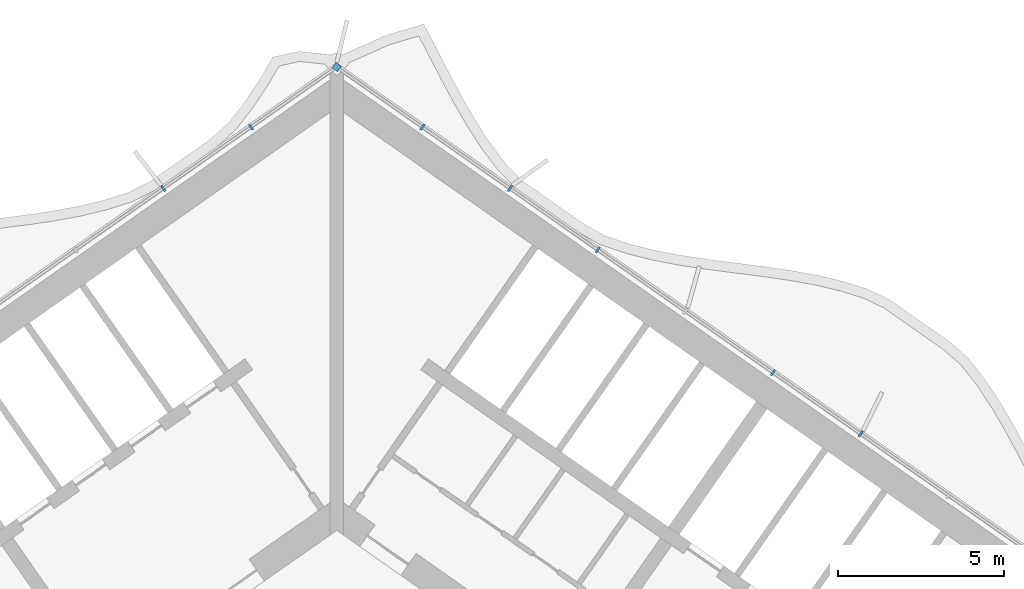
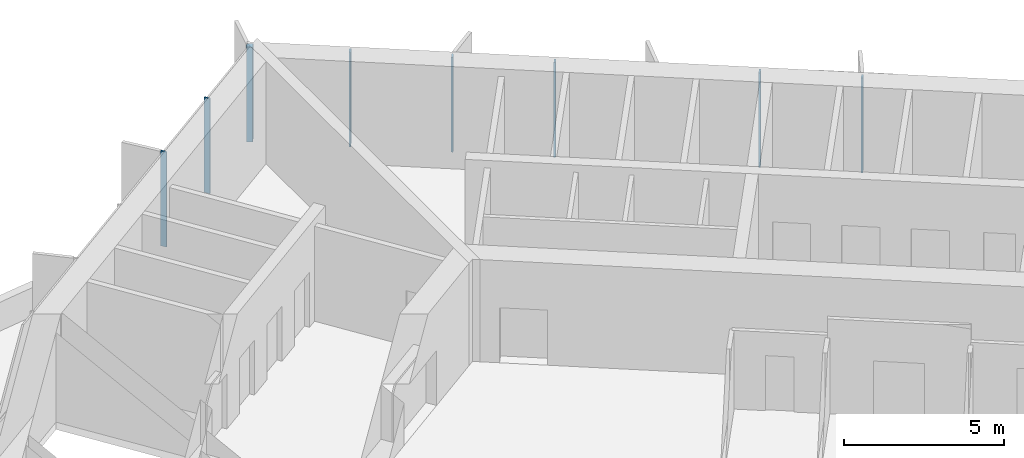
# One storey, part 9 of 24: 8 members, 1 element without a shape of its own.
"""IFC4 building model written with IfcOpenShell, lengths in metres."""

from ifc_helpers import new_model, si_unit, direction, frame, origin, origin_2d, place, context, subcontext, project, spatial, rectangle, extrude, material, material_profile, profile_set, type_object, element, aggregate, save


model = new_model("IFC4")

# Units and contexts
model_context = context("Model", 3, precision=1e-05, world=origin(), true_north=direction((0.0, 1.0)))
body_context = subcontext(model_context, "Body", "Model", "MODEL_VIEW")
ifc_project = project(units=[si_unit("LENGTHUNIT", "METRE"), si_unit("AREAUNIT", "SQUARE_METRE"), si_unit("VOLUMEUNIT", "CUBIC_METRE"), si_unit("PLANEANGLEUNIT", "RADIAN"), si_unit("MASSUNIT", "GRAM", prefix="KILO")], contexts=[model_context])

# Site, building, storey
site_placement = place(None, origin())
site = spatial("IfcSite", under=ifc_project, at=site_placement, CompositionType="ELEMENT")
building_placement = place(site_placement, origin())
building = spatial("IfcBuilding", under=site, at=building_placement, Name="Tel Ilan Convention Tower", CompositionType="ELEMENT")
storey_placement = place(building_placement, frame((0.0, 0.0, 167.10009765625)))
storey = spatial("IfcBuildingStorey", under=building, at=storey_placement, Name="L38", CompositionType="ELEMENT", Elevation=167.10009765625)

# Curtain wall, members
ifc_material_1 = material(Name="Aluminium, bronze anodised", Category="aluminium")
curtain_wall_type = type_object("IfcCurtainWallType", Name="CW2 STICK CURTAIN WALL, SPANDREL PANELS", PredefinedType="NOTDEFINED", material=ifc_material_1)
curtain_wall_placement = place(storey_placement, origin())
curtain_wall = element("IfcCurtainWall", 1, at=curtain_wall_placement, inside=storey, type_object=curtain_wall_type, Name="Curtain wall CW2-30.01", PredefinedType="NOTDEFINED")
ifc_material_2 = material(Name="Aluminium, bronze anodised", Category="aluminium")
ifc_material_profile_1 = material_profile(ifc_material_2, rectangle(XDim=0.199951171875, YDim=0.199951171875, at=origin_2d()), Name="CW CORNER MULLION 200x200")
ifc_profile_set_1 = profile_set([ifc_material_profile_1], Name="Aluminium, bronze anodised")
member_type_1 = type_object("IfcMemberType", Name="CW CORNER MULLION 200x200", PredefinedType="MULLION", material=ifc_profile_set_1)
member_1_placement = place(storey_placement, frame((0.0, 12.696044921875, 0.0), z_axis=(0.0, 0.0, 1.0), x_axis=(-0.819152044289, 0.573576436351, 0.0)))
member_1 = element("IfcMember", 2, at=member_1_placement, type_object=member_type_1, Name="Corner mullion", PredefinedType="MULLION", context=body_context, shape_type="SweptSolid", body=[
    extrude(rectangle(XDim=0.199951171875, YDim=0.199951171875, at=origin_2d()), origin(), (0.0, 0.0, 1.0), 3.619873046875),
])
ifc_material_3 = material(Name="Aluminium, bronze anodised", Category="aluminium")
ifc_material_profile_2 = material_profile(ifc_material_3, rectangle(XDim=0.06005859375, YDim=0.199951171875, at=origin_2d()), Name="CW MULLION 60x200")
ifc_profile_set_2 = profile_set([ifc_material_profile_2], Name="Aluminium, bronze anodised")
member_type_2 = type_object("IfcMemberType", Name="CW MULLION 60x200", PredefinedType="MULLION", material=ifc_profile_set_2)
member_2_placement = place(storey_placement, frame((15.73828125, 1.676025390625, 0.0), z_axis=(0.0, 0.0, 1.0), x_axis=(-0.819152044289, 0.573576436351, 0.0)))
member_2 = element("IfcMember", 3, at=member_2_placement, type_object=member_type_2, Name="Mullion", PredefinedType="MULLION", context=body_context, shape_type="SweptSolid", body=[
    extrude(rectangle(XDim=0.06005859375, YDim=0.199951171875, at=origin_2d()), origin(), (0.0, 0.0, 1.0), 3.619873046875),
])
member_3_placement = place(storey_placement, frame((13.105712890625, 3.519287109375, 0.0), z_axis=(0.0, 0.0, 1.0), x_axis=(-0.819152044289, 0.573576436351, 0.0)))
member_3 = element("IfcMember", 4, at=member_3_placement, type_object=member_type_2, Name="Mullion", PredefinedType="MULLION", context=body_context, shape_type="SweptSolid", body=[
    extrude(rectangle(XDim=0.06005859375, YDim=0.199951171875, at=origin_2d()), origin(), (0.0, 0.0, 1.0), 3.619873046875),
])
member_4_placement = place(storey_placement, frame((7.840576171875, 7.2060546875, 0.0), z_axis=(0.0, 0.0, 1.0), x_axis=(-0.819152044289, 0.573576436351, 0.0)))
member_4 = element("IfcMember", 5, at=member_4_placement, type_object=member_type_2, Name="Mullion", PredefinedType="MULLION", context=body_context, shape_type="SweptSolid", body=[
    extrude(rectangle(XDim=0.06005859375, YDim=0.199951171875, at=origin_2d()), origin(), (0.0, 0.0, 1.0), 3.619873046875),
])
member_5_placement = place(storey_placement, frame((5.207763671875, 9.049560546875, 0.0), z_axis=(0.0, 0.0, 1.0), x_axis=(-0.819152044289, 0.573576436351, 0.0)))
member_5 = element("IfcMember", 6, at=member_5_placement, type_object=member_type_2, Name="Mullion", PredefinedType="MULLION", context=body_context, shape_type="SweptSolid", body=[
    extrude(rectangle(XDim=0.06005859375, YDim=0.199951171875, at=origin_2d()), origin(), (0.0, 0.0, 1.0), 3.619873046875),
])
member_6_placement = place(storey_placement, frame((2.5751953125, 10.892822265625, 0.0), z_axis=(0.0, 0.0, 1.0), x_axis=(-0.819152044289, 0.573576436351, 0.0)))
member_6 = element("IfcMember", 7, at=member_6_placement, type_object=member_type_2, Name="Mullion", PredefinedType="MULLION", context=body_context, shape_type="SweptSolid", body=[
    extrude(rectangle(XDim=0.06005859375, YDim=0.199951171875, at=origin_2d()), origin(), (0.0, 0.0, 1.0), 3.619873046875),
])
member_7_placement = place(storey_placement, frame((-2.5751953125, 10.892822265625, 0.0), z_axis=(0.0, 0.0, 1.0), x_axis=(-0.819152044289, -0.573576436351, 0.0)))
member_7 = element("IfcMember", 8, at=member_7_placement, type_object=member_type_2, Name="Mullion", PredefinedType="MULLION", context=body_context, shape_type="SweptSolid", body=[
    extrude(rectangle(XDim=0.06005859375, YDim=0.199951171875, at=origin_2d()), origin(), (0.0, 0.0, 1.0), 3.619873046875),
])
member_8_placement = place(storey_placement, frame((-5.207763671875, 9.049560546875, 0.0), z_axis=(0.0, 0.0, 1.0), x_axis=(-0.819152044289, -0.573576436351, 0.0)))
member_8 = element("IfcMember", 9, at=member_8_placement, type_object=member_type_2, Name="Mullion", PredefinedType="MULLION", context=body_context, shape_type="SweptSolid", body=[
    extrude(rectangle(XDim=0.06005859375, YDim=0.199951171875, at=origin_2d()), origin(), (0.0, 0.0, 1.0), 3.619873046875),
])
aggregate(curtain_wall, [member_2, member_3, member_4, member_5, member_6, member_1, member_7, member_8])

save(model, "model.ifc")
